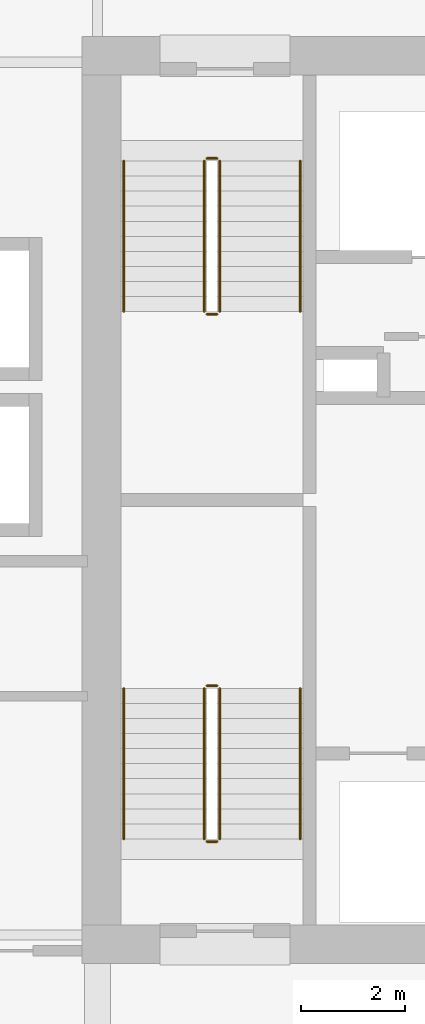
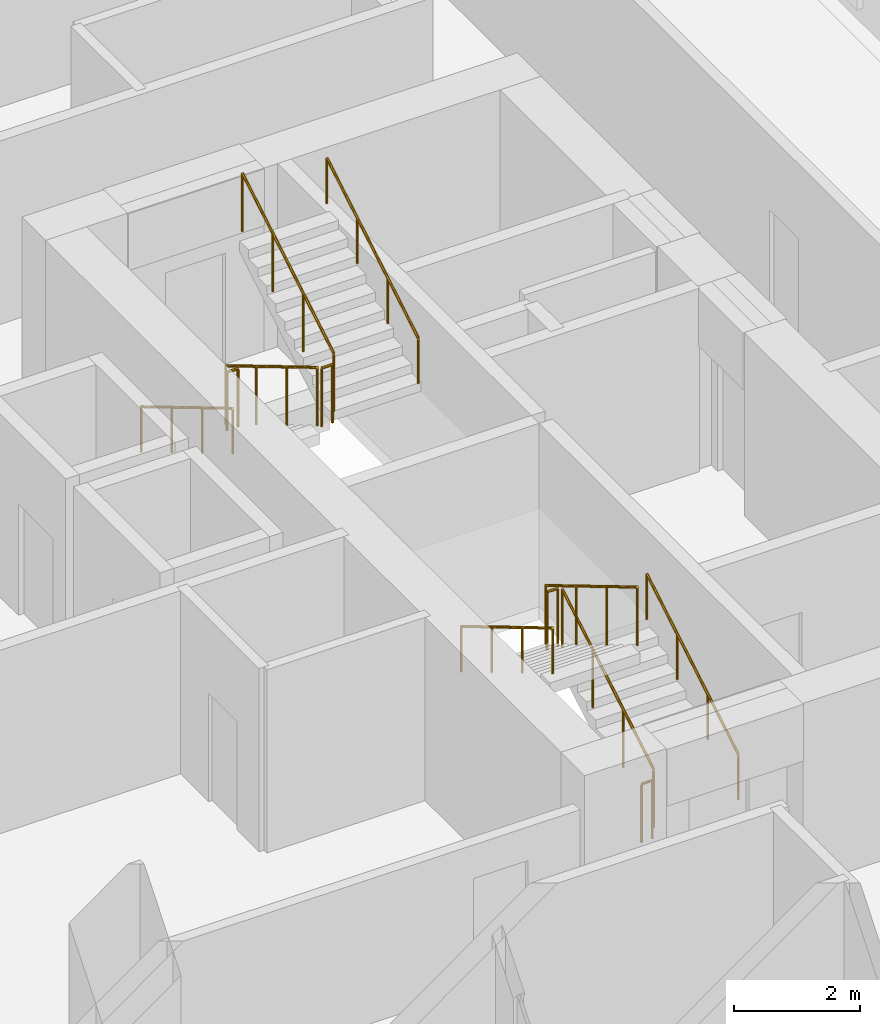
# One storey, part 23 of 24: 12 railings.
"""IFC4 building model written with IfcOpenShell, lengths in metres."""

from ifc_helpers import new_model, si_unit, direction, frame, origin, origin_2d, place, context, subcontext, project, spatial, circle, extrude, material, type_object, element, save


model = new_model("IFC4")

# Units and contexts
model_context = context("Model", 3, precision=1e-05, world=origin(), true_north=direction((0.0, 1.0)))
body_context = subcontext(model_context, "Body", "Model", "MODEL_VIEW")
ifc_project = project(units=[si_unit("LENGTHUNIT", "METRE"), si_unit("AREAUNIT", "SQUARE_METRE"), si_unit("VOLUMEUNIT", "CUBIC_METRE"), si_unit("PLANEANGLEUNIT", "RADIAN"), si_unit("MASSUNIT", "GRAM", prefix="KILO")], contexts=[model_context])

# Site, building, storey
site_placement = place(None, origin())
site = spatial("IfcSite", under=ifc_project, at=site_placement, CompositionType="ELEMENT")
building_placement = place(site_placement, origin())
building = spatial("IfcBuilding", under=site, at=building_placement, Name="Koriwani Terraces Tower", CompositionType="ELEMENT")
storey_placement = place(building_placement, frame((0.0, 0.0, 103.800048828125)))
storey = spatial("IfcBuildingStorey", under=building, at=storey_placement, Name="L24", CompositionType="ELEMENT", Elevation=103.800048828125)

# Railings
ifc_material = material(Name="Steel ASTM A572 Grade 50", Category="steel")
railing_type_1 = type_object("IfcRailingType", Name="GUARD_STAIR_WELL_1120", PredefinedType="GUARDRAIL", material=ifc_material)
railing_1_placement = place(storey_placement, frame((19.14990234375, 43.85009765625, 0.172607421875)))
element("IfcRailing", 1, at=railing_1_placement, inside=storey, type_object=railing_type_1, Name="L24 ST-W1 stair guard 1", PredefinedType="GUARDRAIL", context=body_context, shape_type="SweptSolid", body=[
    extrude(circle(Radius=0.02392578125, at=origin_2d()), frame((0.0, 0.0, 1.1259765625), z_axis=(0.0, 0.859141464434, 0.511738159696), x_axis=(-1.0, 0.0, 0.0)), (0.0, 0.0, 1.0), 3.375244140625),
    extrude(circle(Radius=0.02099609375, at=origin_2d()), origin(), (0.0, 0.0, 1.0), 1.101806640625),
    extrude(circle(Radius=0.02099609375, at=origin_2d()), frame((0.0, 0.966552734375, 0.57568359375)), (0.0, 0.0, 1.0), 1.101806640625),
    extrude(circle(Radius=0.02099609375, at=origin_2d()), frame((0.0, 1.933349609375, 1.151611328125)), (0.0, 0.0, 1.0), 1.101806640625),
    extrude(circle(Radius=0.02099609375, at=origin_2d()), frame((0.0, 2.89990234375, 1.727294921875)), (0.0, 0.0, 1.0), 1.101806640625),
])
railing_2_placement = place(storey_placement, frame((19.10009765625, 46.800048828125, 1.89990234375)))
element("IfcRailing", 2, at=railing_2_placement, inside=storey, type_object=railing_type_1, Name="L24 ST-W1 stair guard 2", PredefinedType="GUARDRAIL", context=body_context, shape_type="SweptSolid", body=[
    extrude(circle(Radius=0.02392578125, at=origin_2d()), frame((0.0, 0.0, 1.1259765625), z_axis=(-1.0, 0.0, 0.0), x_axis=(0.0, -1.0, 0.0)), (0.0, 0.0, 1.0), 0.2001953125),
    extrude(circle(Radius=0.02099609375, at=origin_2d()), origin(), (0.0, 0.0, 1.0), 1.101806640625),
    extrude(circle(Radius=0.02099609375, at=origin_2d()), frame((-0.2001953125, 0.0, 0.0)), (0.0, 0.0, 1.0), 1.101806640625),
])
railing_3_placement = place(storey_placement, frame((18.85009765625, 46.75, 2.07275390625)))
element("IfcRailing", 3, at=railing_3_placement, inside=storey, type_object=railing_type_1, Name="L24 ST-W1 stair guard 3", PredefinedType="GUARDRAIL", context=body_context, shape_type="SweptSolid", body=[
    extrude(circle(Radius=0.02392578125, at=origin_2d()), frame((0.0, 0.0, 1.1259765625), z_axis=(0.0, -0.859141464434, 0.511738159696), x_axis=(1.0, 0.0, 0.0)), (0.0, 0.0, 1.0), 3.375244140625),
    extrude(circle(Radius=0.02099609375, at=origin_2d()), origin(), (0.0, 0.0, 1.0), 1.101806640625),
    extrude(circle(Radius=0.02099609375, at=origin_2d()), frame((0.0, -0.966552734375, 0.57568359375)), (0.0, 0.0, 1.0), 1.101806640625),
    extrude(circle(Radius=0.02099609375, at=origin_2d()), frame((0.0, -1.933349609375, 1.151611328125)), (0.0, 0.0, 1.0), 1.101806640625),
    extrude(circle(Radius=0.02099609375, at=origin_2d()), frame((0.0, -2.89990234375, 1.727294921875)), (0.0, 0.0, 1.0), 1.101806640625),
])
railing_4_placement = place(storey_placement, frame((19.10009765625, 43.800048828125, 0.0)))
element("IfcRailing", 4, at=railing_4_placement, inside=storey, type_object=railing_type_1, Name="L24 ST-W1 stair guard 4", PredefinedType="GUARDRAIL", context=body_context, shape_type="SweptSolid", body=[
    extrude(circle(Radius=0.02392578125, at=origin_2d()), frame((0.0, 0.0, 1.1259765625), z_axis=(-1.0, 0.0, 0.0), x_axis=(0.0, -1.0, 0.0)), (0.0, 0.0, 1.0), 0.2001953125),
    extrude(circle(Radius=0.02099609375, at=origin_2d()), origin(), (0.0, 0.0, 1.0), 1.101806640625),
    extrude(circle(Radius=0.02099609375, at=origin_2d()), frame((-0.2001953125, 0.0, 0.0)), (0.0, 0.0, 1.0), 1.101806640625),
])
railing_5_placement = place(storey_placement, frame((18.85009765625, 56.89990234375, 0.172607421875)))
element("IfcRailing", 5, at=railing_5_placement, inside=storey, type_object=railing_type_1, Name="L24 ST-W2 stair guard 1", PredefinedType="GUARDRAIL", context=body_context, shape_type="SweptSolid", body=[
    extrude(circle(Radius=0.02392578125, at=origin_2d()), frame((0.0, 0.0, 1.1259765625), z_axis=(0.0, -0.859141464434, 0.511738159696), x_axis=(1.0, 0.0, 0.0)), (0.0, 0.0, 1.0), 3.375244140625),
    extrude(circle(Radius=0.02099609375, at=origin_2d()), origin(), (0.0, 0.0, 1.0), 1.101806640625),
    extrude(circle(Radius=0.02099609375, at=origin_2d()), frame((0.0, -0.966552734375, 0.57568359375)), (0.0, 0.0, 1.0), 1.101806640625),
    extrude(circle(Radius=0.02099609375, at=origin_2d()), frame((0.0, -1.933349609375, 1.151611328125)), (0.0, 0.0, 1.0), 1.101806640625),
    extrude(circle(Radius=0.02099609375, at=origin_2d()), frame((0.0, -2.89990234375, 1.727294921875)), (0.0, 0.0, 1.0), 1.101806640625),
])
railing_6_placement = place(storey_placement, frame((18.89990234375, 53.949951171875, 1.89990234375)))
element("IfcRailing", 6, at=railing_6_placement, inside=storey, type_object=railing_type_1, Name="L24 ST-W2 stair guard 2", PredefinedType="GUARDRAIL", context=body_context, shape_type="SweptSolid", body=[
    extrude(circle(Radius=0.02392578125, at=origin_2d()), frame((0.0, 0.0, 1.1259765625), z_axis=(1.0, 0.0, 0.0), x_axis=(0.0, 1.0, 0.0)), (0.0, 0.0, 1.0), 0.2001953125),
    extrude(circle(Radius=0.02099609375, at=origin_2d()), origin(), (0.0, 0.0, 1.0), 1.101806640625),
    extrude(circle(Radius=0.02099609375, at=origin_2d()), frame((0.2001953125, 0.0, 0.0)), (0.0, 0.0, 1.0), 1.101806640625),
])
railing_7_placement = place(storey_placement, frame((19.14990234375, 54.0, 2.07275390625)))
element("IfcRailing", 7, at=railing_7_placement, inside=storey, type_object=railing_type_1, Name="L24 ST-W2 stair guard 3", PredefinedType="GUARDRAIL", context=body_context, shape_type="SweptSolid", body=[
    extrude(circle(Radius=0.02392578125, at=origin_2d()), frame((0.0, 0.0, 1.1259765625), z_axis=(0.0, 0.859141464434, 0.511738159696), x_axis=(-1.0, 0.0, 0.0)), (0.0, 0.0, 1.0), 3.375244140625),
    extrude(circle(Radius=0.02099609375, at=origin_2d()), origin(), (0.0, 0.0, 1.0), 1.101806640625),
    extrude(circle(Radius=0.02099609375, at=origin_2d()), frame((0.0, 0.966552734375, 0.57568359375)), (0.0, 0.0, 1.0), 1.101806640625),
    extrude(circle(Radius=0.02099609375, at=origin_2d()), frame((0.0, 1.933349609375, 1.151611328125)), (0.0, 0.0, 1.0), 1.101806640625),
    extrude(circle(Radius=0.02099609375, at=origin_2d()), frame((0.0, 2.89990234375, 1.727294921875)), (0.0, 0.0, 1.0), 1.101806640625),
])
railing_8_placement = place(storey_placement, frame((18.89990234375, 56.949951171875, 0.0)))
element("IfcRailing", 8, at=railing_8_placement, inside=storey, type_object=railing_type_1, Name="L24 ST-W2 stair guard 4", PredefinedType="GUARDRAIL", context=body_context, shape_type="SweptSolid", body=[
    extrude(circle(Radius=0.02392578125, at=origin_2d()), frame((0.0, 0.0, 1.1259765625), z_axis=(1.0, 0.0, 0.0), x_axis=(0.0, 1.0, 0.0)), (0.0, 0.0, 1.0), 0.2001953125),
    extrude(circle(Radius=0.02099609375, at=origin_2d()), origin(), (0.0, 0.0, 1.0), 1.101806640625),
    extrude(circle(Radius=0.02099609375, at=origin_2d()), frame((0.2001953125, 0.0, 0.0)), (0.0, 0.0, 1.0), 1.101806640625),
])
railing_type_2 = type_object("IfcRailingType", Name="HANDRAIL_STAIR_920", PredefinedType="HANDRAIL", material=ifc_material)
railing_9_placement = place(storey_placement, frame((20.699951171875, 43.85009765625, 0.172607421875)))
element("IfcRailing", 9, at=railing_9_placement, inside=storey, type_object=railing_type_2, Name="L24 ST-W1 stair handrail 1", PredefinedType="HANDRAIL", context=body_context, shape_type="SweptSolid", body=[
    extrude(circle(Radius=0.02392578125, at=origin_2d()), frame((0.0, 0.0, 0.8759765625), z_axis=(0.0, 0.859141464434, 0.511738159696), x_axis=(-1.0, 0.0, 0.0)), (0.0, 0.0, 1.0), 3.375244140625),
    extrude(circle(Radius=0.02099609375, at=origin_2d()), origin(), (0.0, 0.0, 1.0), 0.851806640625),
    extrude(circle(Radius=0.02099609375, at=origin_2d()), frame((0.0, 0.966552734375, 0.57568359375)), (0.0, 0.0, 1.0), 0.851806640625),
    extrude(circle(Radius=0.02099609375, at=origin_2d()), frame((0.0, 1.933349609375, 1.151611328125)), (0.0, 0.0, 1.0), 0.851806640625),
    extrude(circle(Radius=0.02099609375, at=origin_2d()), frame((0.0, 2.89990234375, 1.727294921875)), (0.0, 0.0, 1.0), 0.851806640625),
])
for number, where, name in (
    (10, (17.300048828125, 46.75, 2.07275390625), "L24 ST-W1 stair handrail 2"),
    (11, (17.300048828125, 56.89990234375, 0.172607421875), "L24 ST-W2 stair handrail 1"),
):
    element("IfcRailing", number, at=place(storey_placement, frame(where)), inside=storey, type_object=railing_type_2, Name=name, PredefinedType="HANDRAIL", context=body_context, shape_type="SweptSolid", body=[
        extrude(circle(Radius=0.02392578125, at=origin_2d()), frame((0.0, 0.0, 0.8759765625), z_axis=(0.0, -0.859141464434, 0.511738159696), x_axis=(1.0, 0.0, 0.0)), (0.0, 0.0, 1.0), 3.375244140625),
        extrude(circle(Radius=0.02099609375, at=origin_2d()), origin(), (0.0, 0.0, 1.0), 0.851806640625),
        extrude(circle(Radius=0.02099609375, at=origin_2d()), frame((0.0, -0.966552734375, 0.57568359375)), (0.0, 0.0, 1.0), 0.851806640625),
        extrude(circle(Radius=0.02099609375, at=origin_2d()), frame((0.0, -1.933349609375, 1.151611328125)), (0.0, 0.0, 1.0), 0.851806640625),
        extrude(circle(Radius=0.02099609375, at=origin_2d()), frame((0.0, -2.89990234375, 1.727294921875)), (0.0, 0.0, 1.0), 0.851806640625),
    ])
railing_10_placement = place(storey_placement, frame((20.699951171875, 54.0, 2.07275390625)))
element("IfcRailing", 12, at=railing_10_placement, inside=storey, type_object=railing_type_2, Name="L24 ST-W2 stair handrail 2", PredefinedType="HANDRAIL", context=body_context, shape_type="SweptSolid", body=[
    extrude(circle(Radius=0.02392578125, at=origin_2d()), frame((0.0, 0.0, 0.8759765625), z_axis=(0.0, 0.859141464434, 0.511738159696), x_axis=(-1.0, 0.0, 0.0)), (0.0, 0.0, 1.0), 3.375244140625),
    extrude(circle(Radius=0.02099609375, at=origin_2d()), origin(), (0.0, 0.0, 1.0), 0.851806640625),
    extrude(circle(Radius=0.02099609375, at=origin_2d()), frame((0.0, 0.966552734375, 0.57568359375)), (0.0, 0.0, 1.0), 0.851806640625),
    extrude(circle(Radius=0.02099609375, at=origin_2d()), frame((0.0, 1.933349609375, 1.151611328125)), (0.0, 0.0, 1.0), 0.851806640625),
    extrude(circle(Radius=0.02099609375, at=origin_2d()), frame((0.0, 2.89990234375, 1.727294921875)), (0.0, 0.0, 1.0), 0.851806640625),
])

save(model, "model.ifc")
